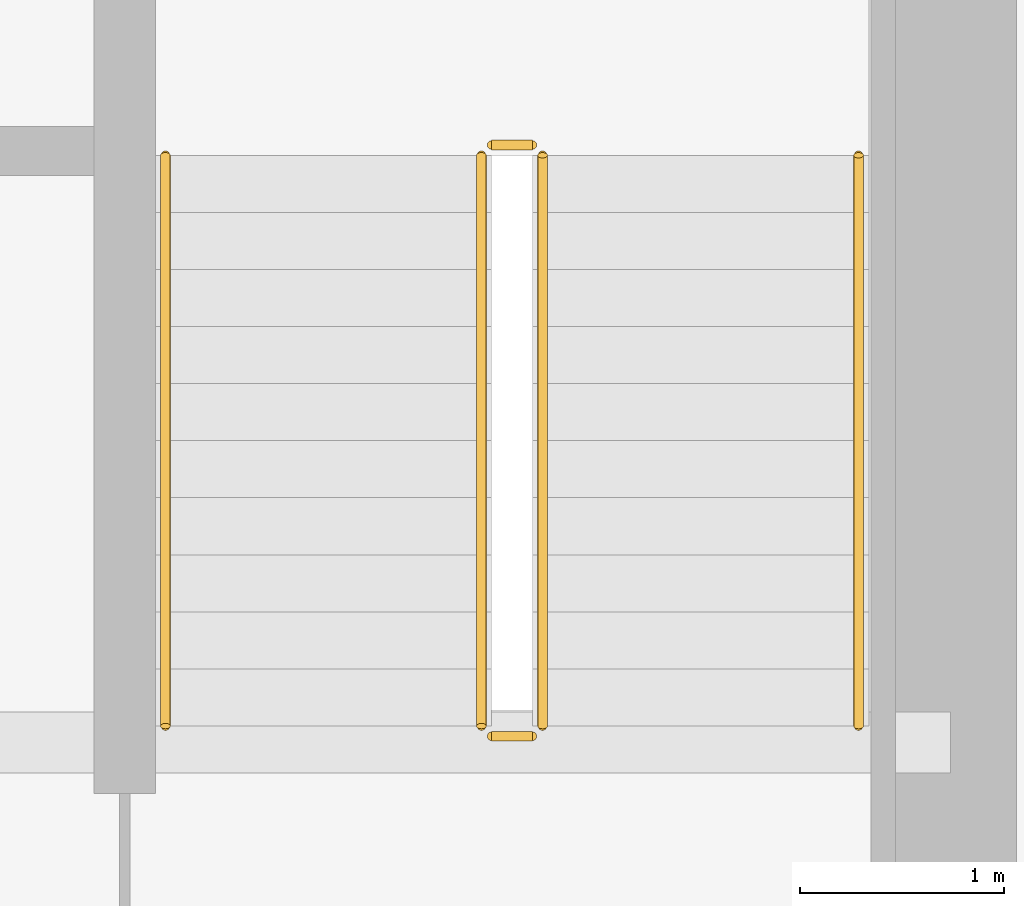
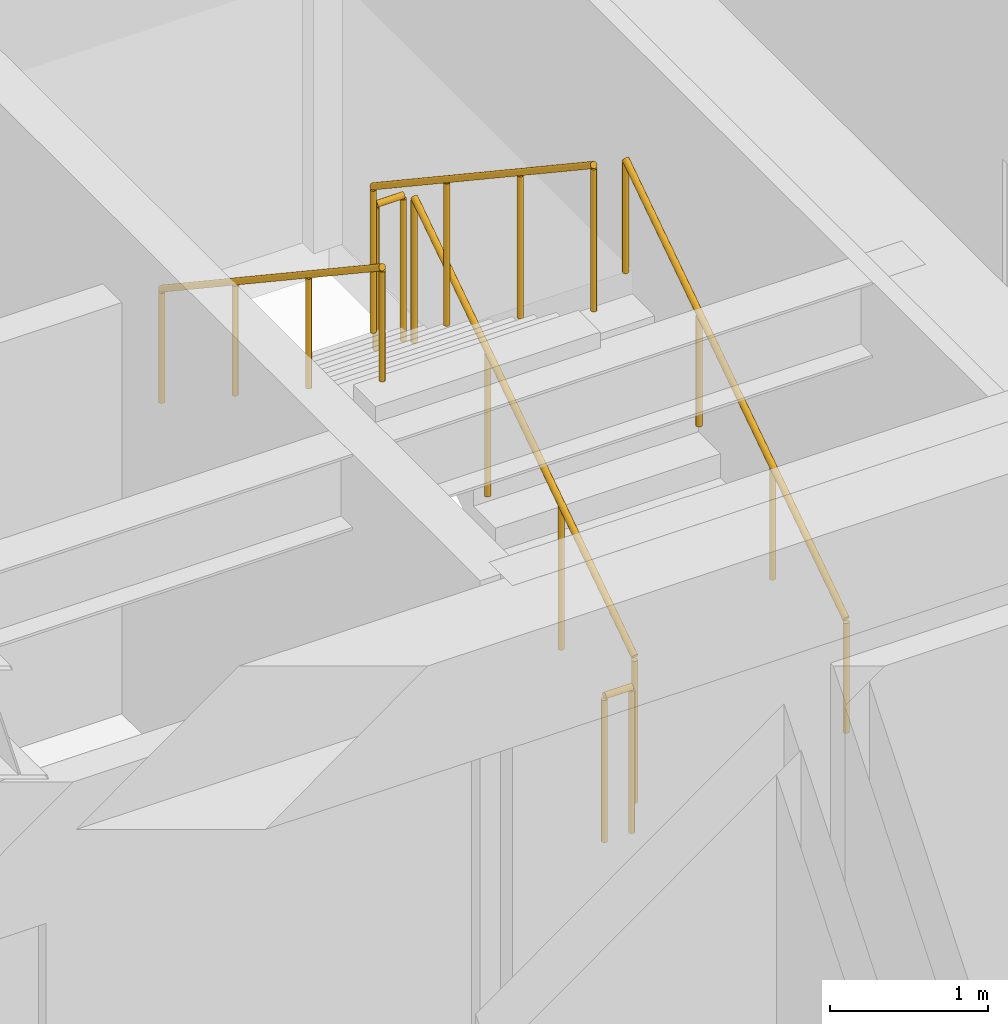
# One storey, part 30 of 30: 6 railings.
"""IFC4 building model written with IfcOpenShell, lengths in metres."""

from ifc_helpers import new_model, si_unit, direction, frame, origin, origin_2d, place, context, subcontext, project, spatial, circle, extrude, source, transform, mapped, material, type_object, type_shapes, element, save


model = new_model("IFC4")

# Units and contexts
model_context = context("Model", 3, precision=1e-05, world=origin(), true_north=direction((0.0, 1.0)))
body_context = subcontext(model_context, "Body", "Model", "MODEL_VIEW")
ifc_project = project(units=[si_unit("LENGTHUNIT", "METRE"), si_unit("AREAUNIT", "SQUARE_METRE"), si_unit("VOLUMEUNIT", "CUBIC_METRE"), si_unit("PLANEANGLEUNIT", "RADIAN"), si_unit("MASSUNIT", "GRAM", prefix="KILO")], contexts=[model_context])

# Site, building, storey
site_placement = place(None, origin())
site = spatial("IfcSite", under=ifc_project, at=site_placement, CompositionType="ELEMENT")
building_placement = place(site_placement, origin())
building = spatial("IfcBuilding", under=site, at=building_placement, Name="Haelvirn Gate Laboratories", CompositionType="ELEMENT")
storey_placement = place(building_placement, frame((0.0, 0.0, 183.0)))
storey = spatial("IfcBuildingStorey", under=building, at=storey_placement, Name="L44", CompositionType="ELEMENT", Elevation=183.0)

# Railings
ifc_material_1 = material(Name="Galvanised steel SM355 & stainless top rail", Category="steel")
railing_type_1 = type_object("IfcRailingType", Name="RL-GUARD-1150", PredefinedType="GUARDRAIL", material=ifc_material_1)
shared_shape_1 = source(origin(), body_context, "Body", "SweptSolid", [
    extrude(circle(Radius=0.02392578125, at=origin_2d()), frame((0.0, 0.0, 1.1259765625), z_axis=(0.0, -0.832452072856, 0.554097055034), x_axis=(1.0, 0.0, 0.0)), (0.0, 0.0, 1.0), 3.363525390625),
    extrude(circle(Radius=0.02099609375, at=origin_2d()), origin(), (0.0, 0.0, 1.0), 1.101806640625),
    extrude(circle(Radius=0.02099609375, at=origin_2d()), frame((0.0, -0.933349609375, 0.621337890625)), (0.0, 0.0, 1.0), 1.101806640625),
    extrude(circle(Radius=0.02099609375, at=origin_2d()), frame((0.0, -1.86669921875, 1.242431640625)), (0.0, 0.0, 1.0), 1.101806640625),
    extrude(circle(Radius=0.02099609375, at=origin_2d()), frame((0.0, -2.800048828125, 1.86376953125)), (0.0, 0.0, 1.0), 1.101806640625),
])
railing_1_placement = place(storey_placement, frame((65.10009765625, 29.5, 2.236328125)))
element("IfcRailing", 1, at=railing_1_placement, inside=storey, type_object=railing_type_1, Name="L44 ST2 stair guard 3", PredefinedType="GUARDRAIL", context=body_context, shape_type="MappedRepresentation", body=[
    mapped(shared_shape_1, transform((0.0, 0.0, 0.0), scale=1.0)),
])
ifc_material_2 = material(Name="Brushed stainless steel 316L", Category="steel")
railing_type_2 = type_object("IfcRailingType", Name="RL-HAND-920", PredefinedType="HANDRAIL", material=ifc_material_2)
shared_shape_2 = source(origin(), body_context, "Body", "SweptSolid", [
    extrude(circle(Radius=0.02392578125, at=origin_2d()), frame((0.0, 0.0, 0.8759765625), z_axis=(0.0, -0.832452072856, 0.554097055034), x_axis=(1.0, 0.0, 0.0)), (0.0, 0.0, 1.0), 3.363525390625),
    extrude(circle(Radius=0.02099609375, at=origin_2d()), origin(), (0.0, 0.0, 1.0), 0.851806640625),
    extrude(circle(Radius=0.02099609375, at=origin_2d()), frame((0.0, -0.933349609375, 0.621337890625)), (0.0, 0.0, 1.0), 0.851806640625),
    extrude(circle(Radius=0.02099609375, at=origin_2d()), frame((0.0, -1.86669921875, 1.242431640625)), (0.0, 0.0, 1.0), 0.851806640625),
    extrude(circle(Radius=0.02099609375, at=origin_2d()), frame((0.0, -2.800048828125, 1.86376953125)), (0.0, 0.0, 1.0), 0.851806640625),
])
railing_2_placement = place(storey_placement, frame((63.550048828125, 29.5, 2.236328125)))
element("IfcRailing", 2, at=railing_2_placement, inside=storey, type_object=railing_type_2, Name="L44 ST2 stair handrail 2", PredefinedType="HANDRAIL", context=body_context, shape_type="MappedRepresentation", body=[
    mapped(shared_shape_2, transform((0.0, 0.0, 0.0), scale=1.0)),
])
shared_shape_3 = source(origin(), body_context, "Body", "SweptSolid", [
    extrude(circle(Radius=0.02392578125, at=origin_2d()), frame((0.0, 0.0, 1.1259765625), z_axis=(0.0, 0.832452072856, 0.554097055034), x_axis=(-1.0, 0.0, 0.0)), (0.0, 0.0, 1.0), 3.363525390625),
    extrude(circle(Radius=0.02099609375, at=origin_2d()), origin(), (0.0, 0.0, 1.0), 1.101806640625),
    extrude(circle(Radius=0.02099609375, at=origin_2d()), frame((0.0, 0.933349609375, 0.621337890625)), (0.0, 0.0, 1.0), 1.101806640625),
    extrude(circle(Radius=0.02099609375, at=origin_2d()), frame((0.0, 1.86669921875, 1.242431640625)), (0.0, 0.0, 1.0), 1.101806640625),
    extrude(circle(Radius=0.02099609375, at=origin_2d()), frame((0.0, 2.800048828125, 1.86376953125)), (0.0, 0.0, 1.0), 1.101806640625),
])
railing_3_placement = place(storey_placement, frame((65.39990234375, 26.699951171875, 0.186279296875)))
element("IfcRailing", 3, at=railing_3_placement, inside=storey, type_object=railing_type_1, Name="L44 ST2 stair guard 1", PredefinedType="GUARDRAIL", context=body_context, shape_type="MappedRepresentation", body=[
    mapped(shared_shape_3, transform((0.0, 0.0, 0.0), scale=1.0)),
])
shared_shape_4 = source(origin(), body_context, "Body", "SweptSolid", [
    extrude(circle(Radius=0.02392578125, at=origin_2d()), frame((0.0, 0.0, 0.8759765625), z_axis=(0.0, 0.832452072856, 0.554097055034), x_axis=(-1.0, 0.0, 0.0)), (0.0, 0.0, 1.0), 3.363525390625),
    extrude(circle(Radius=0.02099609375, at=origin_2d()), origin(), (0.0, 0.0, 1.0), 0.851806640625),
    extrude(circle(Radius=0.02099609375, at=origin_2d()), frame((0.0, 0.933349609375, 0.621337890625)), (0.0, 0.0, 1.0), 0.851806640625),
    extrude(circle(Radius=0.02099609375, at=origin_2d()), frame((0.0, 1.86669921875, 1.242431640625)), (0.0, 0.0, 1.0), 0.851806640625),
    extrude(circle(Radius=0.02099609375, at=origin_2d()), frame((0.0, 2.800048828125, 1.86376953125)), (0.0, 0.0, 1.0), 0.851806640625),
])
type_shapes(railing_type_2, [shared_shape_2, shared_shape_4])
railing_4_placement = place(storey_placement, frame((66.949951171875, 26.699951171875, 0.186279296875)))
element("IfcRailing", 4, at=railing_4_placement, inside=storey, type_object=railing_type_2, Name="L44 ST2 stair handrail 1", PredefinedType="HANDRAIL", context=body_context, shape_type="MappedRepresentation", body=[
    mapped(shared_shape_4, transform((0.0, 0.0, 0.0), scale=1.0)),
])
shared_shape_5 = source(origin(), body_context, "Body", "SweptSolid", [
    extrude(circle(Radius=0.02392578125, at=origin_2d()), frame((0.0, 0.0, 1.1259765625), z_axis=(-1.0, 0.0, 0.0), x_axis=(0.0, -1.0, 0.0)), (0.0, 0.0, 1.0), 0.2001953125),
    extrude(circle(Radius=0.02099609375, at=origin_2d()), origin(), (0.0, 0.0, 1.0), 1.101806640625),
    extrude(circle(Radius=0.02099609375, at=origin_2d()), frame((-0.2001953125, 0.0, 0.0)), (0.0, 0.0, 1.0), 1.101806640625),
])
type_shapes(railing_type_1, [shared_shape_1, shared_shape_3, shared_shape_5])
for number, where, name in (
    (5, (65.35009765625, 29.550048828125, 2.050048828125), "L44 ST2 stair guard 2"),
    (6, (65.35009765625, 26.64990234375, 0.0), "L44 ST2 stair guard 4"),
):
    element("IfcRailing", number, at=place(storey_placement, frame(where)), inside=storey, type_object=railing_type_1, Name=name, PredefinedType="GUARDRAIL", context=body_context, shape_type="MappedRepresentation", body=[
        mapped(shared_shape_5, transform((0.0, 0.0, 0.0), scale=1.0)),
    ])

save(model, "model.ifc")
